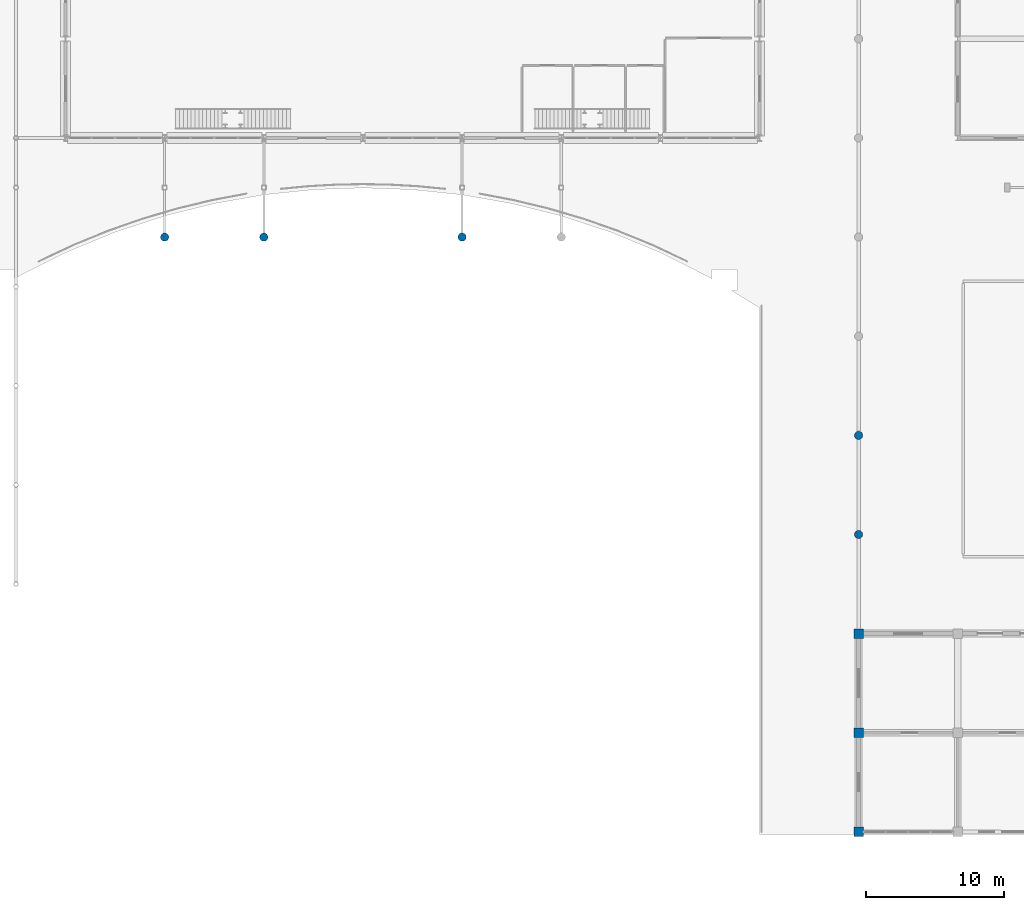
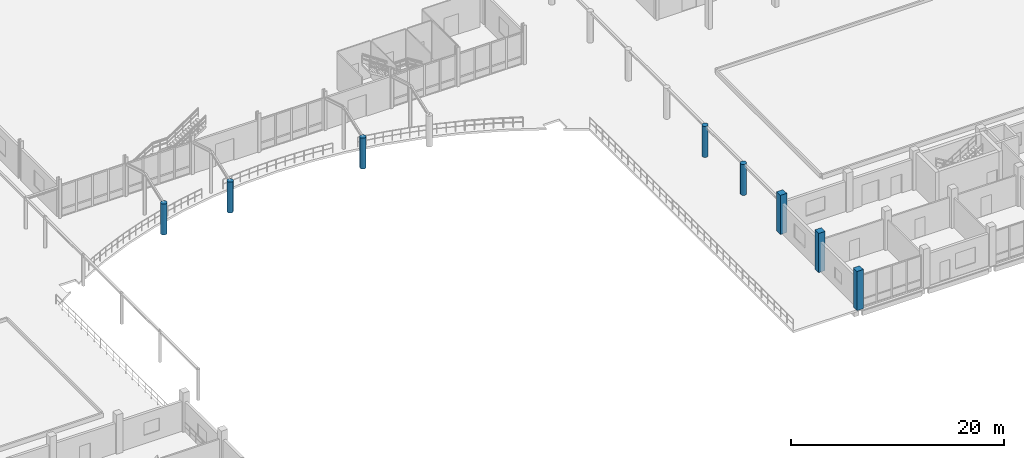
# One storey, part 5 of 139: 8 columns.
"""IFC4 building model written with IfcOpenShell, lengths in metres."""

from ifc_helpers import new_model, si_unit, direction, frame, origin, origin_2d, place, context, subcontext, project, spatial, rectangle, circle, extrude, material, material_profile, profile_set, type_object, element, save


model = new_model("IFC4")

# Units and contexts
model_context = context("Model", 3, precision=1e-05, world=origin(), true_north=direction((0.0, 1.0)))
body_context = subcontext(model_context, "Body", "Model", "MODEL_VIEW")
ifc_project = project(units=[si_unit("LENGTHUNIT", "METRE"), si_unit("AREAUNIT", "SQUARE_METRE"), si_unit("VOLUMEUNIT", "CUBIC_METRE"), si_unit("PLANEANGLEUNIT", "RADIAN"), si_unit("MASSUNIT", "GRAM", prefix="KILO")], contexts=[model_context])

# Site, building, storey
site_placement = place(None, origin())
site = spatial("IfcSite", under=ifc_project, at=site_placement, CompositionType="ELEMENT")
building_placement = place(site_placement, origin())
building = spatial("IfcBuilding", under=site, at=building_placement, Name="Suanplinth Sawtooth Commons", CompositionType="ELEMENT")
storey_placement = place(building_placement, origin())
storey = spatial("IfcBuildingStorey", under=building, at=storey_placement, Name="L00", CompositionType="ELEMENT", Elevation=0.0)

# Columns
ifc_material = material(Name="Concrete C40/50", Category="concrete")
ifc_material_profile_1 = material_profile(ifc_material, rectangle(XDim=0.699951171875, YDim=0.699951171875, at=origin_2d()), Name="RC-COL 700x700")
ifc_profile_set_1 = profile_set([ifc_material_profile_1], Name="Concrete C40/50")
column_type_1 = type_object("IfcColumnType", Name="C-02", PredefinedType="COLUMN", material=ifc_profile_set_1)
for number, where, z_axis, x_axis, name in (
    (1, (122.39990234375, 0.0, 0.0), (0.0, 0.0, 1.0), (1.0, 0.0, 0.0), "Column L00 18/A"),
    (2, (122.39990234375, 7.199951171875, 0.0), (0.0, 0.0, 1.0), (1.0, 0.0, 0.0), "Column L00 18/B"),
    (3, (122.39990234375, 14.39990234375, 0.0), (0.0, 0.0, 1.0), (1.0, 0.0, 0.0), "Column L00 18/C"),
):
    element("IfcColumn", number, at=place(storey_placement, frame(where, z_axis=z_axis, x_axis=x_axis)), inside=storey, type_object=column_type_1, Name=name, PredefinedType="COLUMN", context=body_context, shape_type="SweptSolid", body=[
        extrude(rectangle(XDim=0.699951171875, YDim=0.699951171875, at=origin_2d()), origin(), (0.0, 0.0, 1.0), 4.5),
    ])
ifc_material_profile_2 = material_profile(ifc_material, circle(Radius=0.300048828125, at=origin_2d()), Name="RC-CIRC D600")
ifc_profile_set_2 = profile_set([ifc_material_profile_2], Name="Concrete C40/50")
column_type_2 = type_object("IfcColumnType", Name="C-08", PredefinedType="COLUMN", material=ifc_profile_set_2)
for number, where, z_axis, x_axis, name in (
    (4, (72.0, 43.199951171875, 0.0), (0.0, 0.0, 1.0), (1.0, 0.0, 0.0), "Column L00 11/G"),
    (5, (79.199951171875, 43.199951171875, 0.0), (0.0, 0.0, 1.0), (1.0, 0.0, 0.0), "Column L00 12/G"),
    (6, (93.60009765625, 43.199951171875, 0.0), (0.0, 0.0, 1.0), (1.0, 0.0, 0.0), "Column L00 14/G"),
    (7, (122.39990234375, 21.60009765625, 0.0), (0.0, 0.0, 1.0), (1.0, 0.0, 0.0), "Column L00 18/D"),
    (8, (122.39990234375, 28.800048828125, 0.0), (0.0, 0.0, 1.0), (1.0, 0.0, 0.0), "Column L00 18/E"),
):
    element("IfcColumn", number, at=place(storey_placement, frame(where, z_axis=z_axis, x_axis=x_axis)), inside=storey, type_object=column_type_2, Name=name, PredefinedType="COLUMN", context=body_context, shape_type="SweptSolid", body=[
        extrude(circle(Radius=0.300048828125, at=origin_2d()), origin(), (0.0, 0.0, 1.0), 3.550048828125),
    ])

save(model, "model.ifc")
